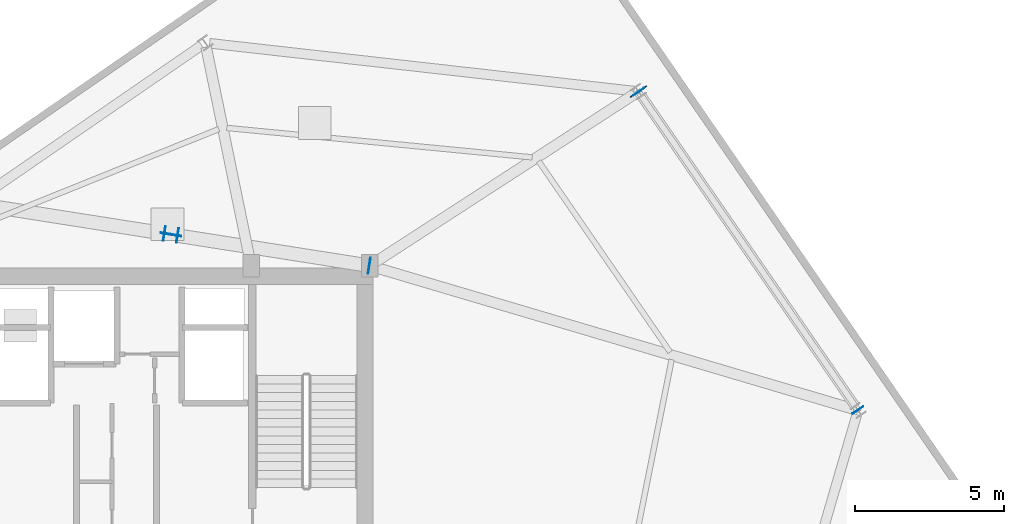
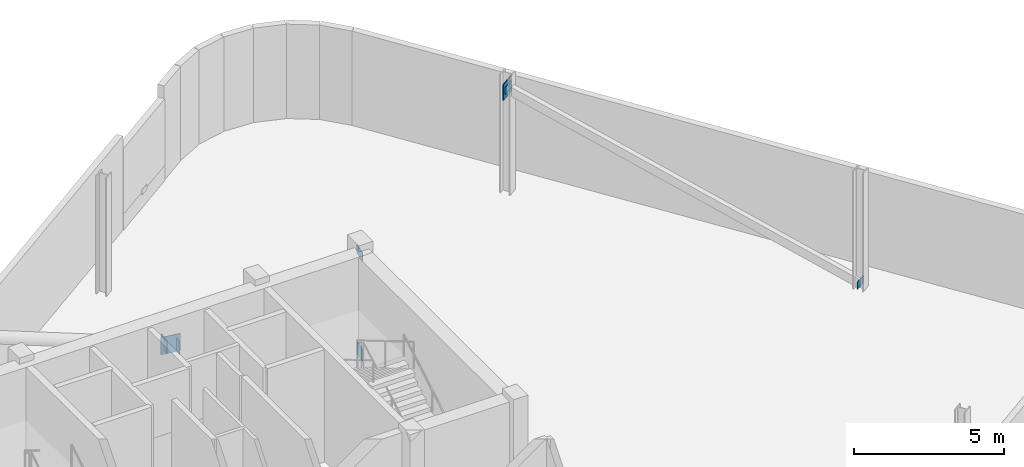
# One storey, part 5 of 9: 8 plates.
"""IFC4 building model written with IfcOpenShell, lengths in metres."""

from ifc_helpers import new_model, si_unit, direction, frame, origin, origin_2d, place, context, subcontext, project, spatial, rectangle, extrude, source, transform, mapped, material, layer, layer_set, type_object, element, save


model = new_model("IFC4")

# Units and contexts
model_context = context("Model", 3, precision=1e-05, world=origin(), true_north=direction((0.0, 1.0)))
body_context = subcontext(model_context, "Body", "Model", "MODEL_VIEW")
ifc_project = project(units=[si_unit("LENGTHUNIT", "METRE"), si_unit("AREAUNIT", "SQUARE_METRE"), si_unit("VOLUMEUNIT", "CUBIC_METRE"), si_unit("PLANEANGLEUNIT", "RADIAN"), si_unit("MASSUNIT", "GRAM", prefix="KILO")], contexts=[model_context])

# Site, building, storey
site_placement = place(None, origin())
site = spatial("IfcSite", under=ifc_project, at=site_placement, CompositionType="ELEMENT")
building_placement = place(site_placement, origin())
building = spatial("IfcBuilding", under=site, at=building_placement, Name="Varnelok Gate Tower", CompositionType="ELEMENT")
storey_placement = place(building_placement, frame((0.0, 0.0, 301.10009765625)))
storey = spatial("IfcBuildingStorey", under=building, at=storey_placement, Name="L77", CompositionType="ELEMENT", Elevation=301.10009765625)

# Plates
ifc_material = material(Name="Structural Steel ASTM A572 Grade 50", Category="steel")
ifc_layer_1 = layer(ifc_material, 0.02490234375)
ifc_layer_set_1 = layer_set([ifc_layer_1], Name="Structural Steel ASTM A572 Grade 50")
plate_type_1 = type_object("IfcPlateType", Name="PLT-ENDCAP-25", PredefinedType="SHEET", material=ifc_layer_set_1)
shared_shape_1 = source(origin(), body_context, "Body", "SweptSolid", [
    extrude(rectangle(XDim=0.02490234375, YDim=0.43994140625, at=origin_2d()), origin(), (0.0, 0.0, 1.0), 0.2900390625),
])
for number, where, z_axis, x_axis, name in (
    (1, (64.09130859375, 34.20458984375, 0.058837890625), (0.0, 0.0, 1.0), (-0.567268949127, 0.823532597628, 0.0), "L77 hollow member sealed end plate 1"),
    (2, (56.731689453125, 44.888916015625, 4.05078125), (0.0, 0.0, 1.0), (-0.567268949127, 0.823532597628, 0.0), "L77 hollow member sealed end plate 2"),
):
    element("IfcPlate", number, at=place(storey_placement, frame(where, z_axis=z_axis, x_axis=x_axis)), inside=storey, type_object=plate_type_1, Name=name, PredefinedType="SHEET", context=body_context, shape_type="MappedRepresentation", body=[
        mapped(shared_shape_1, transform((0.0, 0.0, 0.0), scale=1.0)),
    ])
ifc_layer_2 = layer(ifc_material, 0.031982421875)
ifc_layer_set_2 = layer_set([ifc_layer_2], Name="Structural Steel ASTM A572 Grade 50")
plate_type_2 = type_object("IfcPlateType", Name="PLT-GUSSET-32", PredefinedType="USERDEFINED", material=ifc_layer_set_2)
shared_shape_2 = source(origin(), body_context, "Body", "SweptSolid", [
    extrude(rectangle(XDim=0.64990234375, YDim=0.031982421875, at=origin_2d()), origin(), (0.0, 0.0, 1.0), 0.64990234375),
])
plate_1_placement = place(storey_placement, frame((56.72412109375, 44.899658203125, 3.875), z_axis=(0.0, 0.0, 1.0), x_axis=(0.823532597628, 0.567268949127, 0.0)))
element("IfcPlate", 3, at=plate_1_placement, inside=storey, type_object=plate_type_2, Name="L77 Belt Truss Node Gusset Plate BN-1", ObjectType="GUSSET PLATE", PredefinedType="USERDEFINED", context=body_context, shape_type="MappedRepresentation", body=[
    mapped(shared_shape_2, transform((0.0, 0.0, 0.0), scale=1.0)),
])
shared_shape_3 = source(origin(), body_context, "Body", "SweptSolid", [
    extrude(rectangle(XDim=0.02490234375, YDim=0.5400390625, at=origin_2d()), origin(), (0.0, 0.0, 1.0), 0.340087890625),
])
plate_2_placement = place(storey_placement, frame((47.68701171875, 39.052001953125, 4.02587890625), z_axis=(0.0, 0.0, 1.0), x_axis=(0.987865174247, -0.155313867735, 0.0)))
element("IfcPlate", 4, at=plate_2_placement, inside=storey, type_object=plate_type_1, Name="L77 hollow member sealed end plate 2", PredefinedType="SHEET", context=body_context, shape_type="MappedRepresentation", body=[
    mapped(shared_shape_3, transform((0.0, 0.0, 0.0), scale=1.0)),
])
shared_shape_4 = source(origin(), body_context, "Body", "SweptSolid", [
    extrude(rectangle(XDim=0.699951171875, YDim=0.031982421875, at=origin_2d()), origin(), (0.0, 0.0, 1.0), 0.699951171875),
])
plate_3_placement = place(storey_placement, frame((41.02734375, 40.09912109375, 1.85009765625), z_axis=(0.0, 0.0, 1.0), x_axis=(-0.987865174247, 0.155313867735, 0.0)))
element("IfcPlate", 5, at=plate_3_placement, inside=storey, type_object=plate_type_2, Name="L77 Outrigger X-Brace Gusset Plate XN-2", ObjectType="GUSSET PLATE", PredefinedType="USERDEFINED", context=body_context, shape_type="MappedRepresentation", body=[
    mapped(shared_shape_4, transform((0.0, 0.0, 0.0), scale=1.0)),
])
shared_shape_5 = source(origin(), body_context, "Body", "SweptSolid", [
    extrude(rectangle(XDim=0.02490234375, YDim=0.5, at=origin_2d()), origin(), (0.0, 0.0, 1.0), 0.5),
])
for number, where, z_axis, x_axis, name in (
    (6, (47.68701171875, 39.052001953125, -0.046142578125), (0.0, 0.0, 1.0), (-0.987865174247, 0.155313867735, 0.0), "L77 hollow member sealed end plate 1"),
    (7, (41.248779296875, 40.064208984375, 1.883544921875), (0.0, 0.0, 1.0), (-0.987865174247, 0.155313867735, 0.0), "L77 hollow member sealed end plate 2"),
    (8, (40.805908203125, 40.1337890625, 2.016357421875), (0.0, 0.0, 1.0), (-0.987865174247, 0.155313867735, 0.0), "L77 hollow member sealed end plate 1"),
):
    element("IfcPlate", number, at=place(storey_placement, frame(where, z_axis=z_axis, x_axis=x_axis)), inside=storey, type_object=plate_type_1, Name=name, PredefinedType="SHEET", context=body_context, shape_type="MappedRepresentation", body=[
        mapped(shared_shape_5, transform((0.0, 0.0, 0.0), scale=1.0)),
    ])

save(model, "model.ifc")
